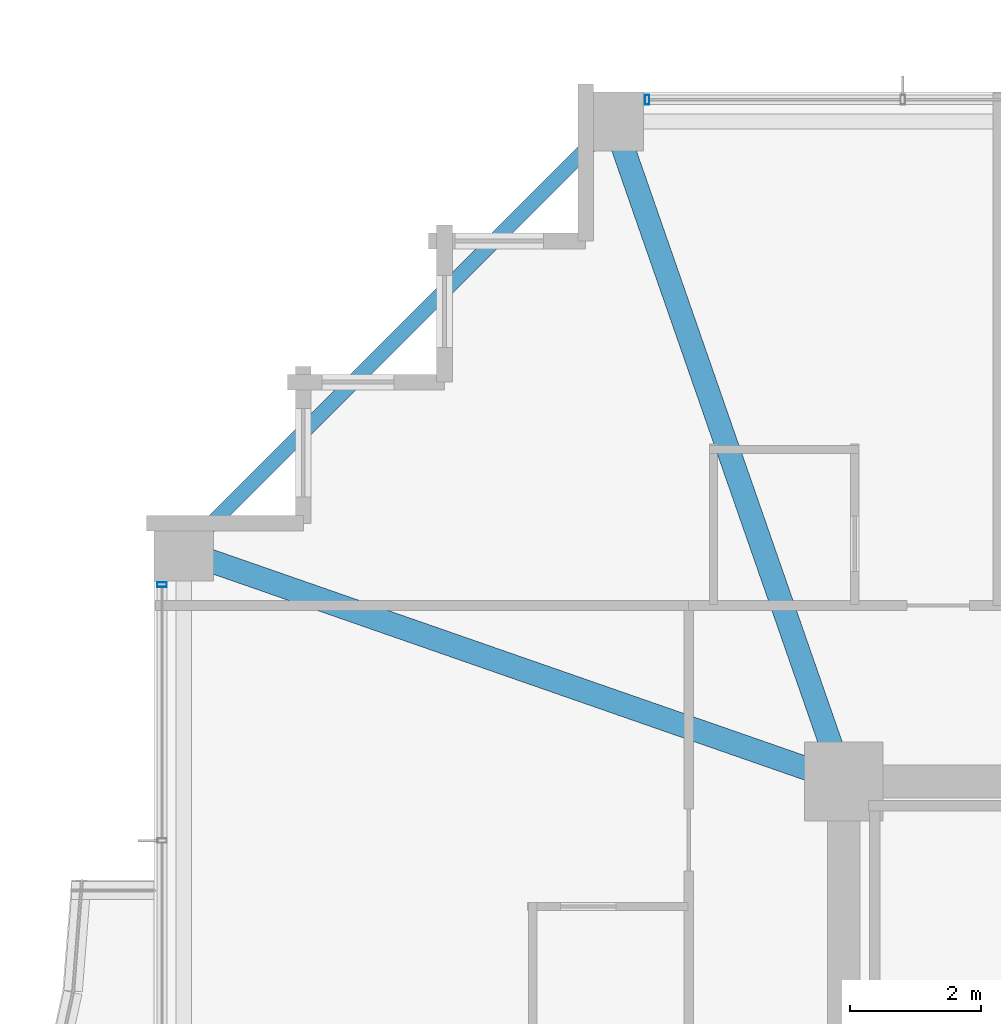
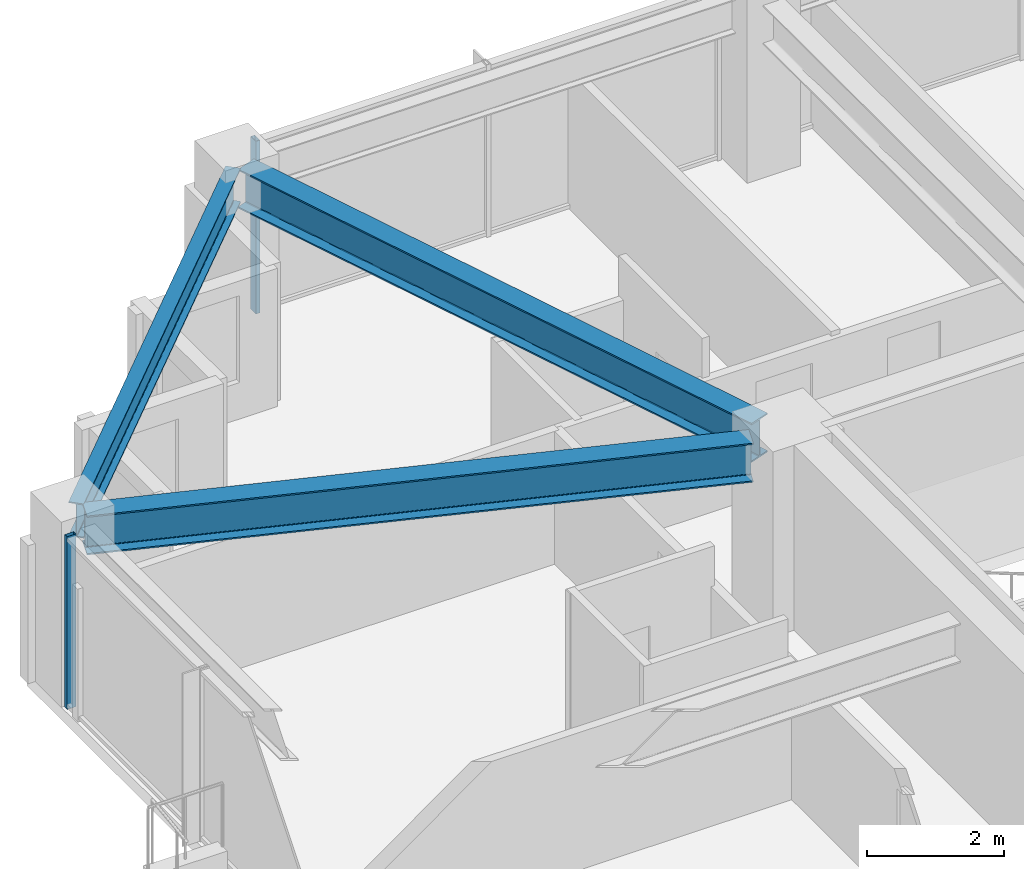
# One storey, part 17 of 35: 3 beams, 2 members, 2 elements without a shape of their own.
"""IFC4 building model written with IfcOpenShell, lengths in metres."""

import ifcopenshell
import ifcopenshell.guid

model = None  # the IFC model being written
_history = None  # IfcOwnerHistory: only IFC2X3 demands one
_inside = {}  # id of a spatial element -> (the spatial element, [elements in it])
_under = {}  # id of a project, library or spatial element -> (it, [spatial elements below it])
_declared = {}  # id of a project -> (the project, [libraries it declares])
_typed = {}  # id of a type object -> (the type object, [elements of that type])
_made_of = {}  # id of a material, layer set ... -> (it, [elements and type objects made of it])


def new_model(schema):
    """Start an empty IFC model of exactly this schema.

    Asked for "IFC4X3", IfcOpenShell would pick the latest addendum, in which some entities
    have other attributes; the version numbers below select the first issue.
    IFC2X3 requires an IfcOwnerHistory on every rooted entity: one is made here for all.
    """
    global model, _history
    if schema == "IFC4X3":
        model = ifcopenshell.file(schema_version=(4, 3, 0, 0))
    else:
        model = ifcopenshell.file(schema=schema)
    _inside.clear()
    _under.clear()
    _declared.clear()
    _typed.clear()
    _made_of.clear()
    _history = None
    if model.schema == "IFC2X3":
        org = make("IfcOrganization", Name="unknown")
        user = make(
            "IfcPersonAndOrganization",
            ThePerson=make("IfcPerson", FamilyName="unknown"),
            TheOrganization=org,
        )
        app = make(
            "IfcApplication",
            ApplicationDeveloper=org,
            Version="unknown",
            ApplicationFullName="unknown",
            ApplicationIdentifier="unknown",
        )
        _history = make(
            "IfcOwnerHistory",
            OwningUser=user,
            OwningApplication=app,
            ChangeAction="ADDED",
            CreationDate=0,
        )
    return model


def make(cls, **values):
    """One entity of the class cls with the attributes given. An attribute that is None is left unset."""
    return model.create_entity(
        cls, **{name: value for name, value in values.items() if value is not None}
    )


def rooted(cls, **values):
    """An entity with a GlobalId (a new one), such as an element, a storey or a relation."""
    return make(cls, GlobalId=ifcopenshell.guid.new(), OwnerHistory=_history, **values)


def si_unit(unit_type, name, prefix=None):
    """IfcSIUnit, for example si_unit("LENGTHUNIT", "METRE", prefix="MILLI")."""
    return make("IfcSIUnit", UnitType=unit_type, Prefix=prefix, Name=name)


def assignment(units):
    """IfcUnitAssignment: the units of a project."""
    return None if units is None else make("IfcUnitAssignment", Units=units)


def point(xyz):
    """IfcCartesianPoint."""
    return None if xyz is None else make("IfcCartesianPoint", Coordinates=xyz)


def direction(xyz):
    """IfcDirection."""
    return None if xyz is None else make("IfcDirection", DirectionRatios=xyz)


def frame(location, z_axis=None, x_axis=None):
    """IfcAxis2Placement3D, a coordinate frame: its origin and axes. An axis left out is left unset."""
    return make(
        "IfcAxis2Placement3D",
        Location=point(location),
        Axis=direction(z_axis),
        RefDirection=direction(x_axis),
    )


def frame_2d(location, x_axis=None):
    """IfcAxis2Placement2D, a coordinate frame in the plane: its origin and x axis."""
    return make(
        "IfcAxis2Placement2D", Location=point(location), RefDirection=direction(x_axis)
    )


def origin():
    """The frame at (0, 0, 0) with its axes left unset."""
    return frame((0.0, 0.0, 0.0))


def origin_2d():
    """The frame at (0, 0) in the plane with its x axis left unset."""
    return frame_2d((0.0, 0.0))


def place(relative_to, where):
    """IfcLocalPlacement: puts the frame where relative to a parent placement (None: the world)."""
    return make(
        "IfcLocalPlacement", PlacementRelTo=relative_to, RelativePlacement=where
    )


def context(
    kind, dimensions, precision=None, world=None, true_north=None, identifier=None
):
    """IfcGeometricRepresentationContext, for example the 3D "Model" context."""
    return make(
        "IfcGeometricRepresentationContext",
        ContextIdentifier=identifier,
        ContextType=kind,
        CoordinateSpaceDimension=dimensions,
        Precision=precision,
        WorldCoordinateSystem=world,
        TrueNorth=true_north,
    )


def subcontext(parent, identifier, kind, view, scale=None):
    """IfcGeometricRepresentationSubContext, for example "Body" below "Model"."""
    return make(
        "IfcGeometricRepresentationSubContext",
        ContextIdentifier=identifier,
        ContextType=kind,
        ParentContext=parent,
        TargetScale=scale,
        TargetView=view,
    )


def project(units=None, contexts=None):
    """IfcProject with its units and contexts."""
    return rooted(
        "IfcProject",
        Name="project",
        RepresentationContexts=contexts,
        UnitsInContext=assignment(units),
    )


def spatial(cls, under=None, at=None, **own):
    """A site, building, storey or space (cls), placed at a placement, below another one or the project."""
    s = rooted(cls, ObjectPlacement=at, **own)
    if under is not None:
        _under.setdefault(under.id(), (under, []))[1].append(s)
    return s


def profile(cls, at=None, kind="AREA", **sizes):
    """A parametric profile (cls). Its sizes go by their IFC names, for example OverallWidth=200.0."""
    return make(cls, ProfileType=kind, Position=at, **sizes)


def hollow_rectangle(**sizes):
    """IfcRectangleHollowProfileDef."""
    return profile("IfcRectangleHollowProfileDef", **sizes)


def i_section(**sizes):
    """IfcIShapeProfileDef."""
    return profile("IfcIShapeProfileDef", **sizes)


def extrude(swept, where, along, depth):
    """IfcExtrudedAreaSolid: the profile swept, set in the frame where, extruded along a direction by depth."""
    return make(
        "IfcExtrudedAreaSolid",
        SweptArea=swept,
        Position=where,
        ExtrudedDirection=direction(along),
        Depth=depth,
    )


def shape(context_of_items, identifier, shape_type, items):
    """IfcShapeRepresentation: the items that make up one representation, for example the "Body"."""
    return make(
        "IfcShapeRepresentation",
        ContextOfItems=context_of_items,
        RepresentationIdentifier=identifier,
        RepresentationType=shape_type,
        Items=items,
    )


def material(Name=None, Category=None):
    """IfcMaterial."""
    return make("IfcMaterial", Name=Name, Category=Category)


def material_profile(
    of_material, cross_section, Name=None, Category=None, Priority=None
):
    """IfcMaterialProfile: a cross section and its material."""
    return make(
        "IfcMaterialProfile",
        Name=Name,
        Material=of_material,
        Profile=cross_section,
        Priority=Priority,
        Category=Category,
    )


def profile_set(profiles, Name=None, composite=None):
    """IfcMaterialProfileSet."""
    return make(
        "IfcMaterialProfileSet",
        Name=Name,
        MaterialProfiles=profiles,
        CompositeProfile=composite,
    )


def made_of(thing, what):
    """Note that an element or type object is made of a material, layer set ...; save() writes the relation."""
    if what is not None:
        _made_of.setdefault(what.id(), (what, []))[1].append(thing)
    return thing


def type_object(cls, material=None, **own):
    """A type object (cls), such as IfcWallType, which elements share."""
    return made_of(rooted(cls, **own), material)


def element(
    cls,
    number,
    at=None,
    inside=None,
    cuts=None,
    type_object=None,
    material=None,
    context=None,
    identifier="Body",
    shape_type=None,
    held_by="IfcProductDefinitionShape",
    body=None,
    shapes=None,
    **own,
):
    """One element of the class cls, such as IfcWall. Its Tag is "e" and its number.

    at: its placement. inside: the storey or other place that contains it. cuts: it is an
    opening in that element (IfcRelVoidsElement). A single representation is given by context,
    identifier, shape_type and body (its items); several are given by shapes. held_by: the class
    of the entity that holds the representations. save() writes the other relations.
    """
    e = rooted(cls, Tag="e%d" % number, ObjectPlacement=at, **own)
    if body is not None:
        shapes = [shape(context, identifier, shape_type, body)]
    if shapes is not None:
        e.Representation = make(held_by, Representations=shapes)
    if inside is not None:
        _inside.setdefault(inside.id(), (inside, []))[1].append(e)
    if cuts is not None:
        rooted(
            "IfcRelVoidsElement", RelatingBuildingElement=cuts, RelatedOpeningElement=e
        )
    if type_object is not None:
        _typed.setdefault(type_object.id(), (type_object, []))[1].append(e)
    return made_of(e, material)


def aggregate(whole, parts):
    """IfcRelAggregates: a whole, such as a stair, and the parts it consists of."""
    return rooted("IfcRelAggregates", RelatingObject=whole, RelatedObjects=parts)


def save(model, path):
    """Write the relations noted so far, then the file.

    IfcRelAggregates (storeys below a building ...), IfcRelContainedInSpatialStructure (elements
    in a storey), IfcRelDefinesByType, IfcRelAssociatesMaterial and IfcRelDeclares: one each for
    every whole, place, type object, material and project.
    """
    for whole, parts in _under.values():
        aggregate(whole, parts)
    for where, things in _inside.values():
        rooted(
            "IfcRelContainedInSpatialStructure",
            RelatedElements=things,
            RelatingStructure=where,
        )
    for kind, things in _typed.values():
        rooted("IfcRelDefinesByType", RelatedObjects=things, RelatingType=kind)
    for what, things in _made_of.values():
        rooted("IfcRelAssociatesMaterial", RelatedObjects=things, RelatingMaterial=what)
    for by, libraries in _declared.values():
        rooted("IfcRelDeclares", RelatingContext=by, RelatedDefinitions=libraries)
    model.write(path)


model = new_model("IFC4")

# Units and contexts
model_context = context("Model", 3, precision=1e-05, world=origin(), true_north=direction((0.0, 1.0)))
body_context = subcontext(model_context, "Body", "Model", "MODEL_VIEW")
ifc_project = project(units=[si_unit("LENGTHUNIT", "METRE"), si_unit("AREAUNIT", "SQUARE_METRE"), si_unit("VOLUMEUNIT", "CUBIC_METRE"), si_unit("PLANEANGLEUNIT", "RADIAN"), si_unit("MASSUNIT", "GRAM", prefix="KILO")], contexts=[model_context])

# Site, building, storey
site_placement = place(None, origin())
site = spatial("IfcSite", under=ifc_project, at=site_placement, CompositionType="ELEMENT")
building_placement = place(site_placement, origin())
building = spatial("IfcBuilding", under=site, at=building_placement, Name="Kolvaren Belvedere", CompositionType="ELEMENT")
storey_placement = place(building_placement, frame((0.0, 0.0, 176.699951171875)))
storey = spatial("IfcBuildingStorey", under=building, at=storey_placement, Name="L51", CompositionType="ELEMENT", Elevation=176.699951171875)

# Beams
ifc_material_1 = material(Name="Structural steel ASTM A992 Grade 50", Category="steel")
ifc_material_profile_1 = material_profile(ifc_material_1, i_section(OverallWidth=0.35498046875, OverallDepth=0.696044921875, WebThickness=0.015380859375, FlangeThickness=0.02490234375, FilletRadius=0.02197265625, at=origin_2d()), Name="W27X146")
ifc_profile_set_1 = profile_set([ifc_material_profile_1], Name="Structural steel ASTM A992 Grade 50")
beam_type_1 = type_object("IfcBeamType", Name="BM-GIRD-W27X146", PredefinedType="BEAM", material=ifc_profile_set_1)
for number, where, z_axis, x_axis, name in (
    (1, (-10.080810546875, 10.41943359375, 2.73193359375), (-0.328894130701, 0.944366798861, 0.0), (-0.944366798861, -0.328894130701, 0.0), "L51 Corner Core-to-Perimeter Girder CC4-N1"),
    (2, (-10.41943359375, 10.080810546875, 2.73193359375), (-0.944366798861, 0.328894130701, 0.0), (-0.328894130701, -0.944366798861, 0.0), "L51 Corner Core-to-Perimeter Girder CC4-W4"),
):
    element("IfcBeam", number, at=place(storey_placement, frame(where, z_axis=z_axis, x_axis=x_axis)), inside=storey, type_object=beam_type_1, Name=name, PredefinedType="BEAM", context=body_context, shape_type="SweptSolid", body=[
        extrude(i_section(OverallWidth=0.35498046875, OverallDepth=0.696044921875, WebThickness=0.015380859375, FlangeThickness=0.02490234375, FilletRadius=0.02197265625, at=origin_2d()), origin(), (0.0, 0.0, 1.0), 9.912109375),
    ])
ifc_material_2 = material(Name="Structural steel ASTM A992 Grade 50", Category="steel")
ifc_material_profile_2 = material_profile(ifc_material_2, i_section(OverallWidth=0.22900390625, OverallDepth=0.612060546875, WebThickness=0.011962890625, FlangeThickness=0.01953125, FilletRadius=0.01806640625, at=origin_2d()), Name="W24X84")
ifc_profile_set_2 = profile_set([ifc_material_profile_2], Name="Structural steel ASTM A992 Grade 50")
beam_type_2 = type_object("IfcBeamType", Name="BM-SPAN-W24X84", PredefinedType="SPANDREL", material=ifc_profile_set_2)
beam_placement = place(storey_placement, frame((-13.543212890625, 19.806884765625, 2.774169921875), z_axis=(-0.707106781187, -0.707106781187, 0.0), x_axis=(0.707106781187, -0.707106781187, 0.0)))
element("IfcBeam", 3, at=beam_placement, inside=storey, type_object=beam_type_2, Name="L51 Perimeter Spandrel N1-W4", PredefinedType="SPANDREL", context=body_context, shape_type="SweptSolid", body=[
    extrude(i_section(OverallWidth=0.22900390625, OverallDepth=0.612060546875, WebThickness=0.011962890625, FlangeThickness=0.01953125, FilletRadius=0.01806640625, at=origin_2d()), origin(), (0.0, 0.0, 1.0), 8.858154296875),
])

# Curtain wall, member
ifc_material_3 = material(Name="Anodised pale-metal aluminium AA 6063-T6", Category="aluminium")
curtain_wall_type = type_object("IfcCurtainWallType", Name="CW-Z5-HIGH", PredefinedType="NOTDEFINED", material=ifc_material_3)
curtain_wall_1_placement = place(storey_placement, origin())
curtain_wall_1 = element("IfcCurtainWall", 4, at=curtain_wall_1_placement, inside=storey, type_object=curtain_wall_type, Name="L51 Unitised Curtain Wall FCW-L51-N-B1", PredefinedType="NOTDEFINED")
ifc_material_4 = material(Name="Anodised pale-metal aluminium AA 6063-T6", Category="aluminium")
ifc_material_profile_3 = material_profile(ifc_material_4, hollow_rectangle(XDim=0.070068359375, YDim=0.14990234375, WallThickness=0.004150390625, at=origin_2d()), Name="ALU-MUL-150X70")
ifc_profile_set_3 = profile_set([ifc_material_profile_3], Name="Anodised pale-metal aluminium AA 6063-T6")
member_type = type_object("IfcMemberType", Name="CW-MUL-150", PredefinedType="MULLION", material=ifc_profile_set_3)
member_1_placement = place(storey_placement, frame((-12.89501953125, 20.280029296875, 0.0), z_axis=(0.0, 0.0, 1.0), x_axis=(1.0, 0.0, 0.0)))
member_1 = element("IfcMember", 5, at=member_1_placement, type_object=member_type, Name="FCW-L51-N-B1 Unitised Mullion 1", PredefinedType="MULLION", context=body_context, shape_type="SweptSolid", body=[
    extrude(hollow_rectangle(XDim=0.070068359375, YDim=0.14990234375, WallThickness=0.004150390625, at=origin_2d()), origin(), (0.0, 0.0, 1.0), 3.080078125),
])
aggregate(curtain_wall_1, [member_1])

curtain_wall_2_placement = place(storey_placement, origin())
curtain_wall_2 = element("IfcCurtainWall", 6, at=curtain_wall_2_placement, inside=storey, type_object=curtain_wall_type, Name="L51 Unitised Curtain Wall FCW-L51-W2-B2", PredefinedType="NOTDEFINED")
member_2_placement = place(storey_placement, frame((-20.280029296875, 12.89501953125, 0.0), z_axis=(0.0, 0.0, 1.0), x_axis=(0.0, 1.0, 0.0)))
member_2 = element("IfcMember", 7, at=member_2_placement, type_object=member_type, Name="FCW-L51-W2-B2 Unitised Mullion 3", PredefinedType="MULLION", context=body_context, shape_type="SweptSolid", body=[
    extrude(hollow_rectangle(XDim=0.070068359375, YDim=0.14990234375, WallThickness=0.004150390625, at=origin_2d()), origin(), (0.0, 0.0, 1.0), 3.080078125),
])
aggregate(curtain_wall_2, [member_2])

save(model, "model.ifc")
